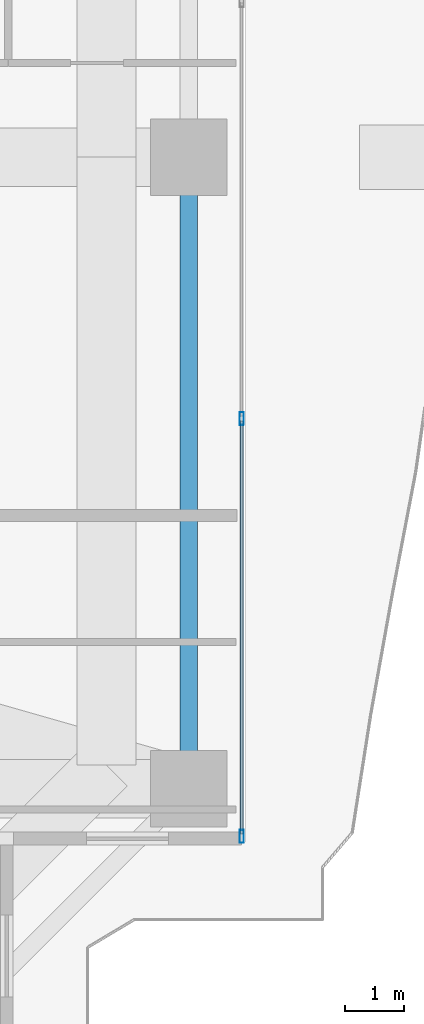
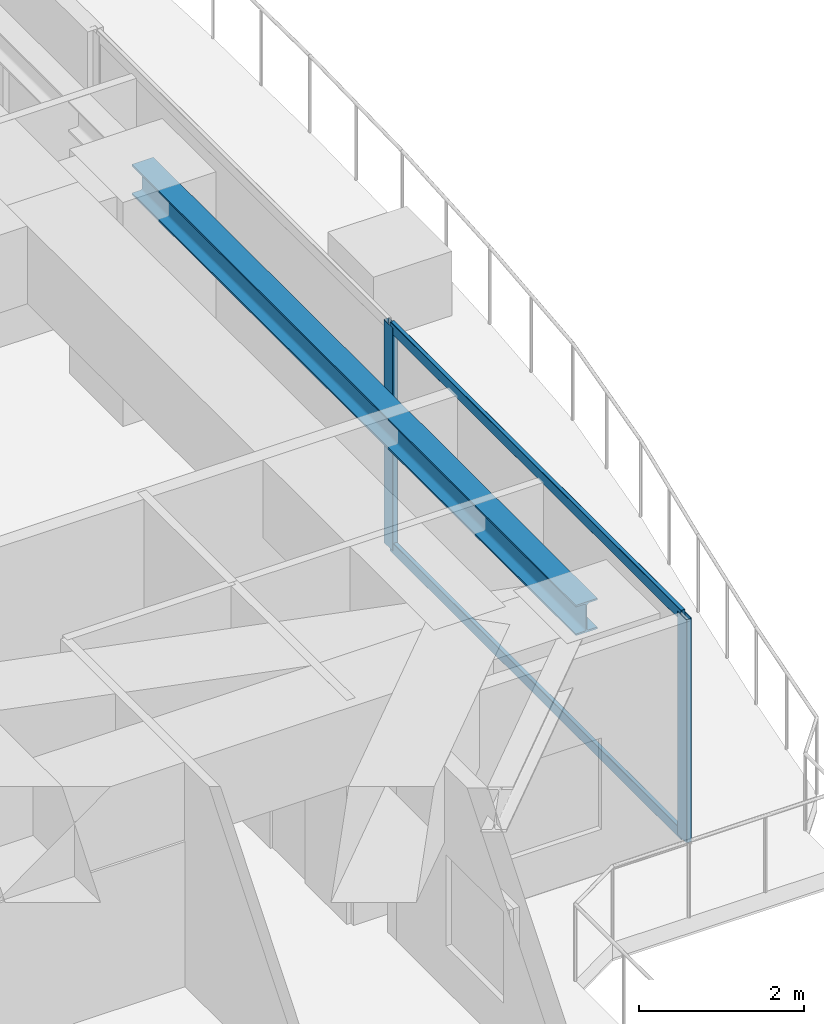
# One storey, part 11 of 32: 4 members, 1 beam, 1 element without a shape of its own.
"""IFC4 building model written with IfcOpenShell, lengths in metres."""

from ifc_helpers import new_model, si_unit, direction, frame, origin, origin_2d, place, context, subcontext, project, spatial, hollow_rectangle, i_section, extrude, source, transform, mapped, material, layer, layer_set, material_profile, profile_set, type_object, element, aggregate, save


model = new_model("IFC4")

# Units and contexts
model_context = context("Model", 3, precision=1e-05, world=origin(), true_north=direction((0.0, 1.0)))
body_context = subcontext(model_context, "Body", "Model", "MODEL_VIEW")
ifc_project = project(units=[si_unit("LENGTHUNIT", "METRE"), si_unit("AREAUNIT", "SQUARE_METRE"), si_unit("VOLUMEUNIT", "CUBIC_METRE"), si_unit("PLANEANGLEUNIT", "RADIAN"), si_unit("MASSUNIT", "GRAM", prefix="KILO")], contexts=[model_context])

# Site, building, storey
site_placement = place(None, origin())
site = spatial("IfcSite", under=ifc_project, at=site_placement, CompositionType="ELEMENT")
building_placement = place(site_placement, origin())
building = spatial("IfcBuilding", under=site, at=building_placement, Name="Serunith Strait Residences", CompositionType="ELEMENT")
storey_placement = place(building_placement, frame((0.0, 0.0, 195.14990234375)))
storey = spatial("IfcBuildingStorey", under=building, at=storey_placement, Name="L49", CompositionType="ELEMENT", Elevation=195.14990234375)

# Beam
ifc_material_1 = material(Name="Steel S355J2", Category="steel")
ifc_material_profile_1 = material_profile(ifc_material_1, i_section(OverallWidth=0.300048828125, OverallDepth=0.449951171875, WebThickness=0.013916015625, FlangeThickness=0.02587890625, FilletRadius=0.027099609375, at=origin_2d()), Name="HEB 450")
ifc_profile_set_1 = profile_set([ifc_material_profile_1], Name="Steel S355J2")
beam_type = type_object("IfcBeamType", Name="BM-HEB450", PredefinedType="BEAM", material=ifc_profile_set_1)
shared_shape_1 = source(origin(), body_context, "Body", "SweptSolid", [
    extrude(i_section(OverallWidth=0.300048828125, OverallDepth=0.449951171875, WebThickness=0.013916015625, FlangeThickness=0.02587890625, FilletRadius=0.027099609375, at=origin_2d()), origin(), (0.0, 0.0, 1.0), 10.75),
])
beam_placement = place(storey_placement, frame((56.10009765625, 10.25, 3.08203125), z_axis=(0.0, 1.0, 0.0), x_axis=(-1.0, 0.0, 0.0)))
element("IfcBeam", 1, at=beam_placement, inside=storey, type_object=beam_type, Name="L49 Perimeter Ring Beam 05", PredefinedType="BEAM", context=body_context, shape_type="MappedRepresentation", body=[
    mapped(shared_shape_1, transform((0.0, 0.0, 0.0), scale=1.0)),
])

# Curtain wall, members
ifc_material_2 = material(Name="Pale-Silver PVDF Aluminium", Category="aluminium")
ifc_layer = layer(ifc_material_2, 0.199951171875, Name="Pale-Silver PVDF Aluminium")
ifc_layer_set = layer_set([ifc_layer], Name="Pale-Silver PVDF Aluminium")
curtain_wall_type = type_object("IfcCurtainWallType", Name="CW-SYS3", PredefinedType="NOTDEFINED", material=ifc_layer_set)
curtain_wall_placement = place(storey_placement, origin())
curtain_wall = element("IfcCurtainWall", 2, at=curtain_wall_placement, inside=storey, type_object=curtain_wall_type, Name="L49 E Unitised Fritted Curtain Wall", PredefinedType="NOTDEFINED")
ifc_material_profile_2 = material_profile(ifc_material_2, hollow_rectangle(XDim=0.06005859375, YDim=0.159912109375, WallThickness=0.00341796875, InnerFilletRadius=0.00537109375, OuterFilletRadius=0.0087890625, at=origin_2d()), Name="ALU 160x60x3.5")
ifc_profile_set_2 = profile_set([ifc_material_profile_2], Name="Pale-Silver PVDF Aluminium")
member_type_1 = type_object("IfcMemberType", Name="CW-SYS3-TRAN", PredefinedType="USERDEFINED", material=ifc_profile_set_2)
shared_shape_2 = source(origin(), body_context, "Body", "SweptSolid", [
    extrude(hollow_rectangle(XDim=0.06005859375, YDim=0.159912109375, WallThickness=0.00341796875, InnerFilletRadius=0.00537109375, OuterFilletRadius=0.0087890625, at=origin_2d()), origin(), (0.0, 0.0, 1.0), 7.037353515625),
])
member_1_placement = place(storey_placement, frame((57.0, 9.47509765625, 0.030029296875), z_axis=(0.0, 1.0, 0.0), x_axis=(-1.0, 0.0, 0.0)))
member_1 = element("IfcMember", 3, at=member_1_placement, type_object=member_type_1, Name="CW-3 transom 1.1", ObjectType="TRANSOM", PredefinedType="USERDEFINED", context=body_context, shape_type="MappedRepresentation", body=[
    mapped(shared_shape_2, transform((0.0, 0.0, 0.0), scale=1.0)),
])
member_2_placement = place(storey_placement, frame((57.0, 9.47509765625, 3.26513671875), z_axis=(0.0, 1.0, 0.0), x_axis=(-1.0, 0.0, 0.0)))
member_2 = element("IfcMember", 4, at=member_2_placement, type_object=member_type_1, Name="CW-3 transom 1.2", ObjectType="TRANSOM", PredefinedType="USERDEFINED", context=body_context, shape_type="MappedRepresentation", body=[
    mapped(shared_shape_2, transform((0.0, 0.0, 0.0), scale=1.0)),
])
ifc_material_profile_3 = material_profile(ifc_material_2, hollow_rectangle(XDim=0.074951171875, YDim=0.219970703125, WallThickness=0.00390625, InnerFilletRadius=0.006103515625, OuterFilletRadius=0.010009765625, at=origin_2d()), Name="ALU 220x75x4")
ifc_profile_set_3 = profile_set([ifc_material_profile_3], Name="Pale-Silver PVDF Aluminium")
member_type_2 = type_object("IfcMemberType", Name="CW-SYS3-MULL", PredefinedType="MULLION", material=ifc_profile_set_3)
shared_shape_3 = source(origin(), body_context, "Body", "SweptSolid", [
    extrude(hollow_rectangle(XDim=0.074951171875, YDim=0.219970703125, WallThickness=0.00390625, InnerFilletRadius=0.006103515625, OuterFilletRadius=0.010009765625, at=origin_2d()), origin(), (0.0, 0.0, 1.0), 3.295166015625),
])
member_3_placement = place(storey_placement, frame((57.0, 9.4375, 0.0), z_axis=(0.0, 0.0, 1.0), x_axis=(-1.0, 0.0, 0.0)))
member_3 = element("IfcMember", 5, at=member_3_placement, type_object=member_type_2, Name="CW-3 mullion 1", PredefinedType="MULLION", context=body_context, shape_type="MappedRepresentation", body=[
    mapped(shared_shape_3, transform((0.0, 0.0, 0.0), scale=1.0)),
])
member_4_placement = place(storey_placement, frame((57.0, 16.550048828125, 0.0), z_axis=(0.0, 0.0, 1.0), x_axis=(-1.0, 0.0, 0.0)))
member_4 = element("IfcMember", 6, at=member_4_placement, type_object=member_type_2, Name="CW-3 mullion 2", PredefinedType="MULLION", context=body_context, shape_type="MappedRepresentation", body=[
    mapped(shared_shape_3, transform((0.0, 0.0, 0.0), scale=1.0)),
])
aggregate(curtain_wall, [member_3, member_4, member_1, member_2])

save(model, "model.ifc")
